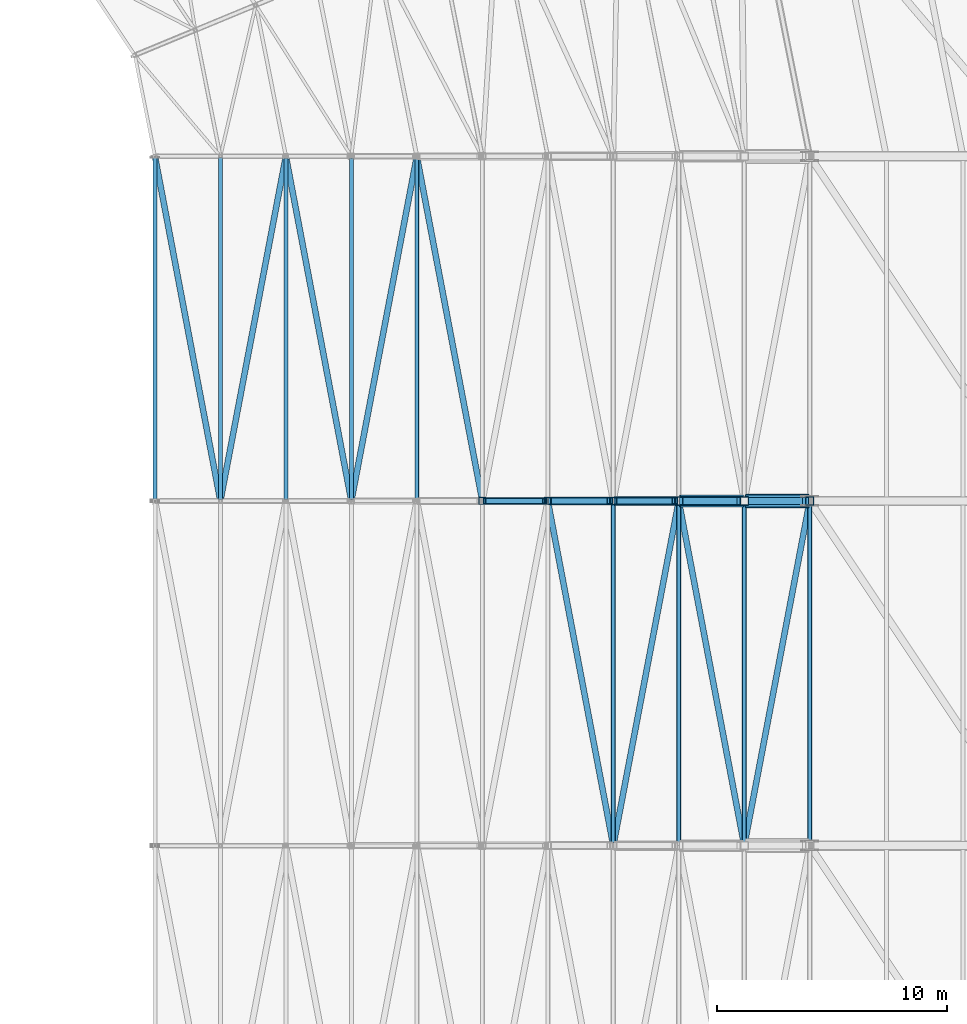
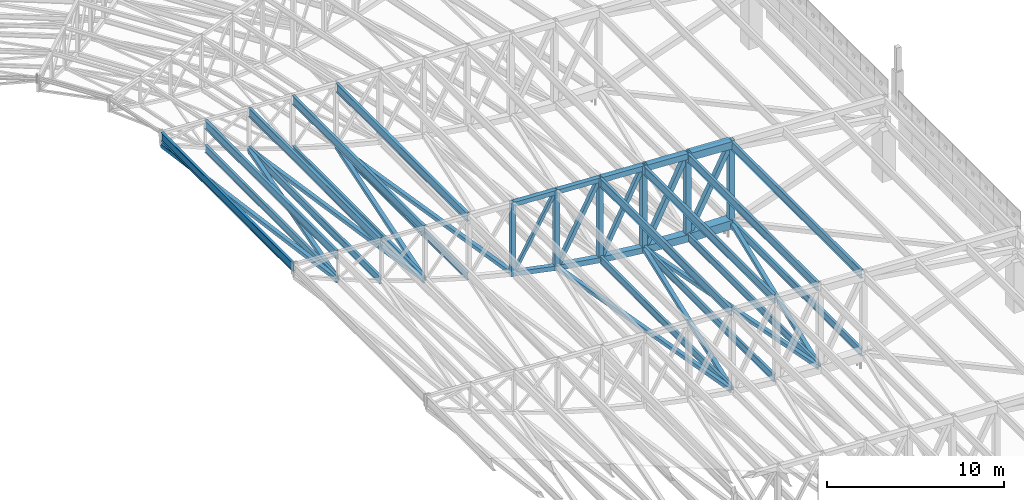
# One storey, part 95 of 278: 31 members, 16 beams.
"""IFC4 building model written with IfcOpenShell, lengths in metres."""

from ifc_helpers import new_model, si_unit, direction, frame, origin, origin_2d, place, context, subcontext, project, spatial, hollow_rectangle, i_section, extrude, material, material_profile, profile_set, type_object, element, save


model = new_model("IFC4")

# Units and contexts
model_context = context("Model", 3, precision=1e-05, world=origin(), true_north=direction((0.0, 1.0)))
body_context = subcontext(model_context, "Body", "Model", "MODEL_VIEW")
ifc_project = project(units=[si_unit("LENGTHUNIT", "METRE"), si_unit("AREAUNIT", "SQUARE_METRE"), si_unit("VOLUMEUNIT", "CUBIC_METRE"), si_unit("PLANEANGLEUNIT", "RADIAN"), si_unit("MASSUNIT", "GRAM", prefix="KILO")], contexts=[model_context])

# Site, building, storey
site_placement = place(None, origin())
site = spatial("IfcSite", under=ifc_project, at=site_placement, CompositionType="ELEMENT")
building_placement = place(site_placement, origin())
building = spatial("IfcBuilding", under=site, at=building_placement, Name="Ogive Plaza Stadium", CompositionType="ELEMENT")
storey_placement = place(building_placement, frame((0.0, 0.0, 29.0)))
storey = spatial("IfcBuildingStorey", under=building, at=storey_placement, Name="Roof", CompositionType="ELEMENT", Elevation=29.0)

# Members
ifc_material_1 = material(Name="Steel ASTM A500 Grade C", Category="steel")
ifc_material_profile_1 = material_profile(ifc_material_1, hollow_rectangle(XDim=0.25390625, YDim=0.25390625, WallThickness=0.0087890625, at=origin_2d()), Name="HSS10X10X3/8")
ifc_profile_set_1 = profile_set([ifc_material_profile_1], Name="Steel ASTM A500 Grade C")
member_type_1 = type_object("IfcMemberType", Name="Roof plan brace HSS10X10X3/8", PredefinedType="BRACE", material=ifc_profile_set_1)
member_1_placement = place(storey_placement, frame((45.513427734375, 52.4296875, 6.520751953125), z_axis=(0.1860644689, -0.979300227871, -0.079693645318), x_axis=(0.982424925297, 0.186658153196, 0.0)))
element("IfcMember", 1, at=member_1_placement, inside=storey, type_object=member_type_1, Name="ROOF BRACE B01 1", PredefinedType="BRACE", context=body_context, shape_type="SweptSolid", body=[
    extrude(hollow_rectangle(XDim=0.25390625, YDim=0.25390625, WallThickness=0.0087890625, at=origin_2d()), origin(), (0.0, 0.0, 1.0), 15.173583984375),
])
member_2_placement = place(storey_placement, frame((48.36328125, 37.5703125, 5.30078125), z_axis=(0.18619699352, 0.979917118172, -0.071366106221), x_axis=(-0.982422109195, 0.186672974385, 0.0)))
element("IfcMember", 2, at=member_2_placement, inside=storey, type_object=member_type_1, Name="ROOF BRACE B01 2", PredefinedType="BRACE", context=body_context, shape_type="SweptSolid", body=[
    extrude(hollow_rectangle(XDim=0.25390625, YDim=0.25390625, WallThickness=0.0087890625, at=origin_2d()), origin(), (0.0, 0.0, 1.0), 15.1376953125),
])
member_3_placement = place(storey_placement, frame((51.21826171875, 52.404052734375, 4.20751953125), z_axis=(0.186305134019, -0.980575459807, -0.061336487198), x_axis=(0.982425223956, 0.186656581279, 0.0)))
element("IfcMember", 3, at=member_3_placement, inside=storey, type_object=member_type_1, Name="ROOF BRACE B01 3", PredefinedType="BRACE", context=body_context, shape_type="SweptSolid", body=[
    extrude(hollow_rectangle(XDim=0.25390625, YDim=0.25390625, WallThickness=0.0087890625, at=origin_2d()), origin(), (0.0, 0.0, 1.0), 15.1015625),
])
member_4_placement = place(storey_placement, frame((54.068115234375, 37.595947265625, 3.27001953125), z_axis=(0.186406461707, 0.981044003163, -0.052965034622), x_axis=(-0.982422964001, 0.186668475654, 0.0)))
element("IfcMember", 4, at=member_4_placement, inside=storey, type_object=member_type_1, Name="ROOF BRACE B01 4", PredefinedType="BRACE", context=body_context, shape_type="SweptSolid", body=[
    extrude(hollow_rectangle(XDim=0.25390625, YDim=0.25390625, WallThickness=0.0087890625, at=origin_2d()), origin(), (0.0, 0.0, 1.0), 15.068359375),
])
member_5_placement = place(storey_placement, frame((56.923095703125, 52.378662109375, 2.459716796875), z_axis=(0.186461324063, -0.981373677857, -0.046237204039), x_axis=(0.982424391989, 0.186660960097, 0.0)))
element("IfcMember", 5, at=member_5_placement, inside=storey, type_object=member_type_1, Name="ROOF BRACE B01 5", PredefinedType="BRACE", context=body_context, shape_type="SweptSolid", body=[
    extrude(hollow_rectangle(XDim=0.25390625, YDim=0.25390625, WallThickness=0.0087890625, at=origin_2d()), origin(), (0.0, 0.0, 1.0), 15.011474609375),
])
member_6_placement = place(storey_placement, frame((62.6279296875, 37.353271484375, 1.20166015625), z_axis=(0.186585145076, -0.982045956233, -0.027779911508), x_axis=(0.982425109661, 0.186657182843, 0.0)))
element("IfcMember", 6, at=member_6_placement, inside=storey, type_object=member_type_1, Name="ROOF BRACE B02 7", PredefinedType="BRACE", context=body_context, shape_type="SweptSolid", body=[
    extrude(hollow_rectangle(XDim=0.25390625, YDim=0.25390625, WallThickness=0.0087890625, at=origin_2d()), origin(), (0.0, 0.0, 1.0), 14.975341796875),
])
member_7_placement = place(storey_placement, frame((65.477783203125, 22.646728515625, 0.77880859375), z_axis=(0.186639895054, 0.982268812283, -0.017706778071), x_axis=(-0.982422833867, 0.186669160538, 0.0)))
element("IfcMember", 7, at=member_7_placement, inside=storey, type_object=member_type_1, Name="ROOF BRACE B02 8", PredefinedType="BRACE", context=body_context, shape_type="SweptSolid", body=[
    extrude(hollow_rectangle(XDim=0.25390625, YDim=0.25390625, WallThickness=0.0087890625, at=origin_2d()), origin(), (0.0, 0.0, 1.0), 14.946044921875),
])
member_8_placement = place(storey_placement, frame((68.332763671875, 37.327880859375, 0.50927734375), z_axis=(0.186657320186, -0.982381109131, -0.009295226886), x_axis=(0.982423551356, 0.186665384421, 0.0)))
element("IfcMember", 8, at=member_8_placement, inside=storey, type_object=member_type_1, Name="ROOF BRACE B02 9", PredefinedType="BRACE", context=body_context, shape_type="SweptSolid", body=[
    extrude(hollow_rectangle(XDim=0.25390625, YDim=0.25390625, WallThickness=0.0087890625, at=origin_2d()), origin(), (0.0, 0.0, 1.0), 14.918701171875),
])
member_9_placement = place(storey_placement, frame((71.1826171875, 22.672119140625, 0.368408203125), z_axis=(0.186663720517, 0.982414794197, -0.004222272479), x_axis=(-0.982423551356, 0.186665384421, 0.0)))
element("IfcMember", 9, at=member_9_placement, inside=storey, type_object=member_type_1, Name="ROOF BRACE B02 10", PredefinedType="BRACE", context=body_context, shape_type="SweptSolid", body=[
    extrude(hollow_rectangle(XDim=0.25390625, YDim=0.25390625, WallThickness=0.0087890625, at=origin_2d()), origin(), (0.0, 0.0, 1.0), 14.918212890625),
])
ifc_material_2 = material(Name="Steel ASTM A992 Grade 50", Category="steel")
ifc_material_profile_2 = material_profile(ifc_material_2, i_section(OverallWidth=0.1650390625, OverallDepth=0.524658203125, WebThickness=0.0087890625, FlangeThickness=0.011474609375, at=origin_2d()), Name="W21X44")
ifc_profile_set_2 = profile_set([ifc_material_profile_2], Name="Steel ASTM A992 Grade 50")
member_type_2 = type_object("IfcMemberType", Name="Roof plan strut W21X44", PredefinedType="STRUT", material=ifc_profile_set_2)
member_10_placement = place(storey_placement, frame((48.35009765625, 52.453857421875, 5.305908203125), z_axis=(0.0, -1.0, 0.0), x_axis=(1.0, 0.0, 0.0)))
element("IfcMember", 10, at=member_10_placement, inside=storey, type_object=member_type_2, Name="ROOF STRUT B01 1", PredefinedType="STRUT", context=body_context, shape_type="SweptSolid", body=[
    extrude(i_section(OverallWidth=0.1650390625, OverallDepth=0.524658203125, WebThickness=0.0087890625, FlangeThickness=0.011474609375, at=origin_2d()), origin(), (0.0, 0.0, 1.0), 14.90771484375),
])
for number, where, z_axis, x_axis, name in (
    (11, (51.199951171875, 52.428466796875, 4.213623046875), (0.0, -1.0, 0.0), (1.0, 0.0, 0.0), "ROOF STRUT B01 2"),
    (12, (54.050048828125, 52.428466796875, 3.275146484375), (0.0, -1.0, 0.0), (1.0, 0.0, 0.0), "ROOF STRUT B01 3"),
):
    element("IfcMember", number, at=place(storey_placement, frame(where, z_axis=z_axis, x_axis=x_axis)), inside=storey, type_object=member_type_2, Name=name, PredefinedType="STRUT", context=body_context, shape_type="SweptSolid", body=[
        extrude(i_section(OverallWidth=0.1650390625, OverallDepth=0.524658203125, WebThickness=0.0087890625, FlangeThickness=0.011474609375, at=origin_2d()), origin(), (0.0, 0.0, 1.0), 14.85693359375),
    ])
member_11_placement = place(storey_placement, frame((56.89990234375, 52.403076171875, 2.46533203125), z_axis=(0.0, -1.0, 0.0), x_axis=(1.0, 0.0, 0.0)))
element("IfcMember", 13, at=member_11_placement, inside=storey, type_object=member_type_2, Name="ROOF STRUT B01 4", PredefinedType="STRUT", context=body_context, shape_type="SweptSolid", body=[
    extrude(i_section(OverallWidth=0.1650390625, OverallDepth=0.524658203125, WebThickness=0.0087890625, FlangeThickness=0.011474609375, at=origin_2d()), origin(), (0.0, 0.0, 1.0), 14.80615234375),
])
member_12_placement = place(storey_placement, frame((65.449951171875, 37.377685546875, 0.781494140625), z_axis=(0.0, -1.0, 0.0), x_axis=(1.0, 0.0, 0.0)))
element("IfcMember", 14, at=member_12_placement, inside=storey, type_object=member_type_2, Name="ROOF STRUT B02 7", PredefinedType="STRUT", context=body_context, shape_type="SweptSolid", body=[
    extrude(i_section(OverallWidth=0.1650390625, OverallDepth=0.524658203125, WebThickness=0.0087890625, FlangeThickness=0.011474609375, at=origin_2d()), origin(), (0.0, 0.0, 1.0), 14.75537109375),
])
for number, where, z_axis, x_axis, name in (
    (15, (68.300048828125, 37.352294921875, 0.510986328125), (0.0, -1.0, 0.0), (1.0, 0.0, 0.0), "ROOF STRUT B02 8"),
    (16, (71.14990234375, 37.352294921875, 0.369140625), (0.0, -1.0, 0.0), (1.0, 0.0, 0.0), "ROOF STRUT B02 9"),
    (17, (74.0, 37.352294921875, 0.3046875), (0.0, -1.0, 0.0), (1.0, 0.0, 0.0), "ROOF STRUT B02 10"),
):
    element("IfcMember", number, at=place(storey_placement, frame(where, z_axis=z_axis, x_axis=x_axis)), inside=storey, type_object=member_type_2, Name=name, PredefinedType="STRUT", context=body_context, shape_type="SweptSolid", body=[
        extrude(i_section(OverallWidth=0.1650390625, OverallDepth=0.524658203125, WebThickness=0.0087890625, FlangeThickness=0.011474609375, at=origin_2d()), origin(), (0.0, 0.0, 1.0), 14.70458984375),
    ])
ifc_material_3 = material(Name="Steel ASTM A992 Grade 50", Category="steel")
ifc_material_profile_3 = material_profile(ifc_material_3, i_section(OverallWidth=0.177978515625, OverallDepth=0.5986328125, WebThickness=0.010009765625, FlangeThickness=0.012939453125, at=origin_2d()), Name="W24X55")
ifc_profile_set_3 = profile_set([ifc_material_profile_3], Name="Steel ASTM A992 Grade 50")
member_type_3 = type_object("IfcMemberType", Name="Roof purlin W24X55", PredefinedType="PURLIN", material=ifc_profile_set_3)
member_13_placement = place(storey_placement, frame((48.35009765625, 52.453857421875, 6.983154296875), z_axis=(0.0, -1.0, 0.0), x_axis=(1.0, 0.0, 0.0)))
element("IfcMember", 18, at=member_13_placement, inside=storey, type_object=member_type_3, Name="ROOF PURLIN B01 1", PredefinedType="PURLIN", context=body_context, shape_type="SweptSolid", body=[
    extrude(i_section(OverallWidth=0.177978515625, OverallDepth=0.5986328125, WebThickness=0.010009765625, FlangeThickness=0.012939453125, at=origin_2d()), origin(), (0.0, 0.0, 1.0), 14.90771484375),
])
for number, where, z_axis, x_axis, name in (
    (19, (51.199951171875, 52.428466796875, 6.840576171875), (0.0, -1.0, 0.0), (1.0, 0.0, 0.0), "ROOF PURLIN B01 2"),
    (20, (54.050048828125, 52.428466796875, 6.6982421875), (0.0, -1.0, 0.0), (1.0, 0.0, 0.0), "ROOF PURLIN B01 3"),
):
    element("IfcMember", number, at=place(storey_placement, frame(where, z_axis=z_axis, x_axis=x_axis)), inside=storey, type_object=member_type_3, Name=name, PredefinedType="PURLIN", context=body_context, shape_type="SweptSolid", body=[
        extrude(i_section(OverallWidth=0.177978515625, OverallDepth=0.5986328125, WebThickness=0.010009765625, FlangeThickness=0.012939453125, at=origin_2d()), origin(), (0.0, 0.0, 1.0), 14.85693359375),
    ])
member_14_placement = place(storey_placement, frame((56.89990234375, 52.403076171875, 6.5556640625), z_axis=(0.0, -1.0, 0.0), x_axis=(1.0, 0.0, 0.0)))
element("IfcMember", 21, at=member_14_placement, inside=storey, type_object=member_type_3, Name="ROOF PURLIN B01 4", PredefinedType="PURLIN", context=body_context, shape_type="SweptSolid", body=[
    extrude(i_section(OverallWidth=0.177978515625, OverallDepth=0.5986328125, WebThickness=0.010009765625, FlangeThickness=0.012939453125, at=origin_2d()), origin(), (0.0, 0.0, 1.0), 14.80615234375),
])
member_15_placement = place(storey_placement, frame((65.449951171875, 37.377685546875, 6.128173828125), z_axis=(0.0, -1.0, 0.0), x_axis=(1.0, 0.0, 0.0)))
element("IfcMember", 22, at=member_15_placement, inside=storey, type_object=member_type_3, Name="ROOF PURLIN B02 7", PredefinedType="PURLIN", context=body_context, shape_type="SweptSolid", body=[
    extrude(i_section(OverallWidth=0.177978515625, OverallDepth=0.5986328125, WebThickness=0.010009765625, FlangeThickness=0.012939453125, at=origin_2d()), origin(), (0.0, 0.0, 1.0), 14.75537109375),
])
for number, where, z_axis, x_axis, name in (
    (23, (68.300048828125, 37.352294921875, 5.985595703125), (0.0, -1.0, 0.0), (1.0, 0.0, 0.0), "ROOF PURLIN B02 8"),
    (24, (71.14990234375, 37.352294921875, 5.84326171875), (0.0, -1.0, 0.0), (1.0, 0.0, 0.0), "ROOF PURLIN B02 9"),
    (25, (74.0, 37.352294921875, 5.70068359375), (0.0, -1.0, 0.0), (1.0, 0.0, 0.0), "ROOF PURLIN B02 10"),
):
    element("IfcMember", number, at=place(storey_placement, frame(where, z_axis=z_axis, x_axis=x_axis)), inside=storey, type_object=member_type_3, Name=name, PredefinedType="PURLIN", context=body_context, shape_type="SweptSolid", body=[
        extrude(i_section(OverallWidth=0.177978515625, OverallDepth=0.5986328125, WebThickness=0.010009765625, FlangeThickness=0.012939453125, at=origin_2d()), origin(), (0.0, 0.0, 1.0), 14.70458984375),
    ])
ifc_material_4 = material(Name="Steel ASTM A992 Grade 50", Category="steel")
ifc_material_profile_4 = material_profile(ifc_material_4, i_section(OverallWidth=0.177978515625, OverallDepth=0.5986328125, WebThickness=0.010009765625, FlangeThickness=0.012939453125, at=origin_2d()), Name="W24X55")
ifc_profile_set_4 = profile_set([ifc_material_profile_4], Name="Steel ASTM A992 Grade 50")
member_type_4 = type_object("IfcMemberType", Name="Roof tip ring beam W24X55", PredefinedType="MEMBER", material=ifc_profile_set_4)
member_16_placement = place(storey_placement, frame((45.5, 52.453857421875, 7.125732421875), z_axis=(0.0, -1.0, 0.0), x_axis=(1.0, 0.0, 0.0)))
element("IfcMember", 26, at=member_16_placement, inside=storey, type_object=member_type_4, Name="RING BEAM B01", PredefinedType="MEMBER", context=body_context, shape_type="SweptSolid", body=[
    extrude(i_section(OverallWidth=0.177978515625, OverallDepth=0.5986328125, WebThickness=0.010009765625, FlangeThickness=0.012939453125, at=origin_2d()), origin(), (0.0, 0.0, 1.0), 14.90771484375),
])

# Beams
ifc_material_5 = material(Name="Steel ASTM A500 Grade C", Category="steel")
ifc_material_profile_5 = material_profile(ifc_material_5, hollow_rectangle(XDim=0.3046875, YDim=0.3046875, WallThickness=0.0146484375, at=origin_2d()), Name="HSS12X12X5/8")
ifc_profile_set_5 = profile_set([ifc_material_profile_5], Name="Steel ASTM A500 Grade C")
beam_type_1 = type_object("IfcBeamType", Name="Roof truss bottom chord HSS12X12X5/8", PredefinedType="BEAM", material=ifc_profile_set_5)
beam_1_placement = place(storey_placement, frame((59.800048828125, 37.5, 1.751708984375), z_axis=(0.980021250437, 0.0, -0.19889280704), x_axis=(0.0, 1.0, 0.0)))
element("IfcBeam", 27, at=beam_1_placement, inside=storey, type_object=beam_type_1, Name="ROOF TRUSS T02 BOTTOM CHORD 6", PredefinedType="BEAM", context=body_context, shape_type="SweptSolid", body=[
    extrude(hollow_rectangle(XDim=0.3046875, YDim=0.3046875, WallThickness=0.0146484375, at=origin_2d()), origin(), (0.0, 0.0, 1.0), 2.80615234375),
])
ifc_material_6 = material(Name="Steel ASTM A500 Grade C", Category="steel")
ifc_material_profile_6 = material_profile(ifc_material_6, hollow_rectangle(XDim=0.355712890625, YDim=0.355712890625, WallThickness=0.0146484375, at=origin_2d()), Name="HSS14X14X5/8")
ifc_profile_set_6 = profile_set([ifc_material_profile_6], Name="Steel ASTM A500 Grade C")
beam_type_2 = type_object("IfcBeamType", Name="Roof truss bottom chord HSS14X14X5/8", PredefinedType="BEAM", material=ifc_profile_set_6)
beam_2_placement = place(storey_placement, frame((62.64990234375, 37.5, 1.2001953125), z_axis=(0.987770074518, 0.0, -0.155917541947), x_axis=(0.0, 1.0, 0.0)))
element("IfcBeam", 28, at=beam_2_placement, inside=storey, type_object=beam_type_2, Name="ROOF TRUSS T02 BOTTOM CHORD 7", PredefinedType="BEAM", context=body_context, shape_type="SweptSolid", body=[
    extrude(hollow_rectangle(XDim=0.355712890625, YDim=0.355712890625, WallThickness=0.0146484375, at=origin_2d()), origin(), (0.0, 0.0, 1.0), 2.783935546875),
])
ifc_material_7 = material(Name="Steel ASTM A500 Grade C", Category="steel")
ifc_material_profile_7 = material_profile(ifc_material_7, hollow_rectangle(XDim=0.406494140625, YDim=0.406494140625, WallThickness=0.0146484375, at=origin_2d()), Name="HSS16X16X5/8")
ifc_profile_set_7 = profile_set([ifc_material_profile_7], Name="Steel ASTM A500 Grade C")
beam_type_3 = type_object("IfcBeamType", Name="Roof truss bottom chord HSS16X16X5/8", PredefinedType="BEAM", material=ifc_profile_set_7)
beam_3_placement = place(storey_placement, frame((65.5, 37.5, 0.777099609375), z_axis=(0.993703844406, 0.0, -0.112038696946), x_axis=(0.0, 1.0, 0.0)))
element("IfcBeam", 29, at=beam_3_placement, inside=storey, type_object=beam_type_3, Name="ROOF TRUSS T02 BOTTOM CHORD 8", PredefinedType="BEAM", context=body_context, shape_type="SweptSolid", body=[
    extrude(hollow_rectangle(XDim=0.406494140625, YDim=0.406494140625, WallThickness=0.0146484375, at=origin_2d()), origin(), (0.0, 0.0, 1.0), 2.767333984375),
])
ifc_material_8 = material(Name="Steel ASTM A500 Grade C", Category="steel")
ifc_material_profile_8 = material_profile(ifc_material_8, hollow_rectangle(XDim=0.508056640625, YDim=0.508056640625, WallThickness=0.0146484375, at=origin_2d()), Name="HSS20X20X5/8")
ifc_profile_set_8 = profile_set([ifc_material_profile_8], Name="Steel ASTM A500 Grade C")
beam_type_4 = type_object("IfcBeamType", Name="Roof truss bottom chord HSS20X20X5/8", PredefinedType="BEAM", material=ifc_profile_set_8)
beam_4_placement = place(storey_placement, frame((68.35009765625, 37.5, 0.50830078125), z_axis=(0.997719620387, 0.0, -0.06749488199), x_axis=(0.0, 1.0, 0.0)))
element("IfcBeam", 30, at=beam_4_placement, inside=storey, type_object=beam_type_4, Name="ROOF TRUSS T02 BOTTOM CHORD 9", PredefinedType="BEAM", context=body_context, shape_type="SweptSolid", body=[
    extrude(hollow_rectangle(XDim=0.508056640625, YDim=0.508056640625, WallThickness=0.0146484375, at=origin_2d()), origin(), (0.0, 0.0, 1.0), 2.75634765625),
])
ifc_material_9 = material(Name="Steel ASTM A500 Grade C", Category="steel")
ifc_material_profile_9 = material_profile(ifc_material_9, hollow_rectangle(XDim=0.609619140625, YDim=0.609619140625, WallThickness=0.0146484375, at=origin_2d()), Name="HSS24X24X5/8")
ifc_profile_set_9 = profile_set([ifc_material_profile_9], Name="Steel ASTM A500 Grade C")
beam_type_5 = type_object("IfcBeamType", Name="Roof truss bottom chord HSS24X24X5/8", PredefinedType="BEAM", material=ifc_profile_set_9)
beam_5_placement = place(storey_placement, frame((71.199951171875, 37.5, 0.367919921875), z_axis=(0.999745852076, 0.0, -0.022543984946), x_axis=(0.0, 1.0, 0.0)))
element("IfcBeam", 31, at=beam_5_placement, inside=storey, type_object=beam_type_5, Name="ROOF TRUSS T02 BOTTOM CHORD 10", PredefinedType="BEAM", context=body_context, shape_type="SweptSolid", body=[
    extrude(hollow_rectangle(XDim=0.609619140625, YDim=0.609619140625, WallThickness=0.0146484375, at=origin_2d()), origin(), (0.0, 0.0, 1.0), 2.750732421875),
])

# Members
ifc_material_10 = material(Name="Steel ASTM A500 Grade C", Category="steel")
ifc_material_profile_10 = material_profile(ifc_material_10, hollow_rectangle(XDim=0.25390625, YDim=0.25390625, WallThickness=0.0087890625, at=origin_2d()), Name="HSS10X10X3/8")
ifc_profile_set_10 = profile_set([ifc_material_profile_10], Name="Steel ASTM A500 Grade C")
member_type_5 = type_object("IfcMemberType", Name="Roof truss diagonal HSS10X10X3/8", PredefinedType="BRACE", material=ifc_profile_set_10)
member_17_placement = place(storey_placement, frame((62.75244140625, 37.5, 1.383544921875), z_axis=(0.473127942579, 0.0, 0.880993728667), x_axis=(0.0, 1.0, 0.0)))
element("IfcMember", 32, at=member_17_placement, inside=storey, type_object=member_type_5, Name="ROOF TRUSS T02 DIAGONAL 7", PredefinedType="BRACE", context=body_context, shape_type="SweptSolid", body=[
    extrude(hollow_rectangle(XDim=0.25390625, YDim=0.25390625, WallThickness=0.0087890625, at=origin_2d()), origin(), (0.0, 0.0, 1.0), 5.37939453125),
])
member_18_placement = place(storey_placement, frame((65.602294921875, 37.5, 0.984619140625), z_axis=(0.454062843231, 0.0, 0.890969659639), x_axis=(0.0, 1.0, 0.0)))
element("IfcMember", 33, at=member_18_placement, inside=storey, type_object=member_type_5, Name="ROOF TRUSS T02 DIAGONAL 8", PredefinedType="BRACE", context=body_context, shape_type="SweptSolid", body=[
    extrude(hollow_rectangle(XDim=0.25390625, YDim=0.25390625, WallThickness=0.0087890625, at=origin_2d()), origin(), (0.0, 0.0, 1.0), 5.550048828125),
])
ifc_material_11 = material(Name="Steel ASTM A500 Grade C", Category="steel")
ifc_material_profile_11 = material_profile(ifc_material_11, hollow_rectangle(XDim=0.3046875, YDim=0.3046875, WallThickness=0.0087890625, at=origin_2d()), Name="HSS12X12X3/8")
ifc_profile_set_11 = profile_set([ifc_material_profile_11], Name="Steel ASTM A500 Grade C")
member_type_6 = type_object("IfcMemberType", Name="Roof truss diagonal HSS12X12X3/8", PredefinedType="BRACE", material=ifc_profile_set_11)
member_19_placement = place(storey_placement, frame((68.477783203125, 37.5, 0.764892578125), z_axis=(0.448477330766, 0.0, 0.893794206621), x_axis=(0.0, 1.0, 0.0)))
element("IfcMember", 34, at=member_19_placement, inside=storey, type_object=member_type_6, Name="ROOF TRUSS T02 DIAGONAL 9", PredefinedType="BRACE", context=body_context, shape_type="SweptSolid", body=[
    extrude(hollow_rectangle(XDim=0.3046875, YDim=0.3046875, WallThickness=0.0087890625, at=origin_2d()), origin(), (0.0, 0.0, 1.0), 5.56201171875),
])
member_20_placement = place(storey_placement, frame((71.327880859375, 37.5, 0.673828125), z_axis=(0.459750963822, 0.0, 0.888047887934), x_axis=(0.0, 1.0, 0.0)))
element("IfcMember", 35, at=member_20_placement, inside=storey, type_object=member_type_6, Name="ROOF TRUSS T02 DIAGONAL 10", PredefinedType="BRACE", context=body_context, shape_type="SweptSolid", body=[
    extrude(hollow_rectangle(XDim=0.3046875, YDim=0.3046875, WallThickness=0.0087890625, at=origin_2d()), origin(), (0.0, 0.0, 1.0), 5.425537109375),
])
ifc_material_12 = material(Name="Steel ASTM A500 Grade C", Category="steel")
ifc_material_profile_12 = material_profile(ifc_material_12, hollow_rectangle(XDim=0.203125, YDim=0.203125, WallThickness=0.0087890625, at=origin_2d()), Name="HSS8X8X3/8")
ifc_profile_set_12 = profile_set([ifc_material_profile_12], Name="Steel ASTM A500 Grade C")
member_type_7 = type_object("IfcMemberType", Name="Roof truss diagonal HSS8X8X3/8", PredefinedType="BRACE", material=ifc_profile_set_12)
member_21_placement = place(storey_placement, frame((59.90234375, 37.5, 1.9111328125), z_axis=(0.504659398762, 0.0, 0.863318534054), x_axis=(0.0, 1.0, 0.0)))
element("IfcMember", 36, at=member_21_placement, inside=storey, type_object=member_type_7, Name="ROOF TRUSS T02 DIAGONAL 6", PredefinedType="BRACE", context=body_context, shape_type="SweptSolid", body=[
    extrude(hollow_rectangle(XDim=0.203125, YDim=0.203125, WallThickness=0.0087890625, at=origin_2d()), origin(), (0.0, 0.0, 1.0), 5.043212890625),
])

# Beams
ifc_material_13 = material(Name="Steel ASTM A500 Grade C", Category="steel")
ifc_material_profile_13 = material_profile(ifc_material_13, hollow_rectangle(XDim=0.3046875, YDim=0.3046875, WallThickness=0.01171875, at=origin_2d()), Name="HSS12X12X1/2")
ifc_profile_set_13 = profile_set([ifc_material_profile_13], Name="Steel ASTM A500 Grade C")
beam_type_6 = type_object("IfcBeamType", Name="Roof truss post HSS12X12X1/2", PredefinedType="BEAM", material=ifc_profile_set_13)
beam_6_placement = place(storey_placement, frame((59.75, 37.5, 1.606201171875), z_axis=(0.0, 0.0, 1.0), x_axis=(0.0, 1.0, 0.0)))
element("IfcBeam", 37, at=beam_6_placement, inside=storey, type_object=beam_type_6, Name="ROOF TRUSS T02 POST 6", PredefinedType="BEAM", context=body_context, shape_type="SweptSolid", body=[
    extrude(hollow_rectangle(XDim=0.3046875, YDim=0.3046875, WallThickness=0.01171875, at=origin_2d()), origin(), (0.0, 0.0, 1.0), 5.106201171875),
])
ifc_material_14 = material(Name="Steel ASTM A500 Grade C", Category="steel")
ifc_material_profile_14 = material_profile(ifc_material_14, hollow_rectangle(XDim=0.3046875, YDim=0.3046875, WallThickness=0.0146484375, at=origin_2d()), Name="HSS12X12X5/8")
ifc_profile_set_14 = profile_set([ifc_material_profile_14], Name="Steel ASTM A500 Grade C")
beam_type_7 = type_object("IfcBeamType", Name="Roof truss post HSS12X12X5/8", PredefinedType="BEAM", material=ifc_profile_set_14)
beam_7_placement = place(storey_placement, frame((62.60009765625, 37.5, 1.028076171875), z_axis=(0.0, 0.0, 1.0), x_axis=(0.0, 1.0, 0.0)))
element("IfcBeam", 38, at=beam_7_placement, inside=storey, type_object=beam_type_7, Name="ROOF TRUSS T02 POST 7", PredefinedType="BEAM", context=body_context, shape_type="SweptSolid", body=[
    extrude(hollow_rectangle(XDim=0.3046875, YDim=0.3046875, WallThickness=0.0146484375, at=origin_2d()), origin(), (0.0, 0.0, 1.0), 5.5419921875),
])
beam_8_placement = place(storey_placement, frame((65.449951171875, 37.5, 0.578369140625), z_axis=(0.0, 0.0, 1.0), x_axis=(0.0, 1.0, 0.0)))
element("IfcBeam", 39, at=beam_8_placement, inside=storey, type_object=beam_type_7, Name="ROOF TRUSS T02 POST 8", PredefinedType="BEAM", context=body_context, shape_type="SweptSolid", body=[
    extrude(hollow_rectangle(XDim=0.3046875, YDim=0.3046875, WallThickness=0.0146484375, at=origin_2d()), origin(), (0.0, 0.0, 1.0), 5.84912109375),
])
ifc_material_15 = material(Name="Steel ASTM A500 Grade C", Category="steel")
ifc_material_profile_15 = material_profile(ifc_material_15, hollow_rectangle(XDim=0.355712890625, YDim=0.355712890625, WallThickness=0.0146484375, at=origin_2d()), Name="HSS14X14X5/8")
ifc_profile_set_15 = profile_set([ifc_material_profile_15], Name="Steel ASTM A500 Grade C")
beam_type_8 = type_object("IfcBeamType", Name="Roof truss post HSS14X14X5/8", PredefinedType="BEAM", material=ifc_profile_set_15)
beam_9_placement = place(storey_placement, frame((68.300048828125, 37.5, 0.257080078125), z_axis=(0.0, 0.0, 1.0), x_axis=(0.0, 1.0, 0.0)))
element("IfcBeam", 40, at=beam_9_placement, inside=storey, type_object=beam_type_8, Name="ROOF TRUSS T02 POST 9", PredefinedType="BEAM", context=body_context, shape_type="SweptSolid", body=[
    extrude(hollow_rectangle(XDim=0.355712890625, YDim=0.355712890625, WallThickness=0.0146484375, at=origin_2d()), origin(), (0.0, 0.0, 1.0), 6.02783203125),
])
beam_10_placement = place(storey_placement, frame((71.14990234375, 37.5, 0.064208984375), z_axis=(0.0, 0.0, 1.0), x_axis=(0.0, 1.0, 0.0)))
element("IfcBeam", 41, at=beam_10_placement, inside=storey, type_object=beam_type_8, Name="ROOF TRUSS T02 POST 10", PredefinedType="BEAM", context=body_context, shape_type="SweptSolid", body=[
    extrude(hollow_rectangle(XDim=0.355712890625, YDim=0.355712890625, WallThickness=0.0146484375, at=origin_2d()), origin(), (0.0, 0.0, 1.0), 6.078369140625),
])
beam_11_placement = place(storey_placement, frame((74.0, 37.5, -0.06005859375), z_axis=(0.0, 0.0, 1.0), x_axis=(0.0, 1.0, 0.0)))
element("IfcBeam", 42, at=beam_11_placement, inside=storey, type_object=beam_type_8, Name="ROOF TRUSS T02 POST 11", PredefinedType="BEAM", context=body_context, shape_type="SweptSolid", body=[
    extrude(hollow_rectangle(XDim=0.355712890625, YDim=0.355712890625, WallThickness=0.0146484375, at=origin_2d()), origin(), (0.0, 0.0, 1.0), 6.06005859375),
])
ifc_material_16 = material(Name="Steel ASTM A500 Grade C", Category="steel")
ifc_material_profile_16 = material_profile(ifc_material_16, hollow_rectangle(XDim=0.3046875, YDim=0.3046875, WallThickness=0.01171875, at=origin_2d()), Name="HSS12X12X1/2")
ifc_profile_set_16 = profile_set([ifc_material_profile_16], Name="Steel ASTM A500 Grade C")
beam_type_9 = type_object("IfcBeamType", Name="Roof truss top chord HSS12X12X1/2", PredefinedType="BEAM", material=ifc_profile_set_16)
beam_12_placement = place(storey_placement, frame((62.64990234375, 37.5, 6.414794921875), z_axis=(0.998753223187, 0.0, -0.049919927615), x_axis=(0.0, 1.0, 0.0)))
element("IfcBeam", 43, at=beam_12_placement, inside=storey, type_object=beam_type_9, Name="ROOF TRUSS T02 TOP CHORD 7", PredefinedType="BEAM", context=body_context, shape_type="SweptSolid", body=[
    extrude(hollow_rectangle(XDim=0.3046875, YDim=0.3046875, WallThickness=0.01171875, at=origin_2d()), origin(), (0.0, 0.0, 1.0), 2.75341796875),
])
ifc_material_17 = material(Name="Steel ASTM A500 Grade C", Category="steel")
ifc_material_profile_17 = material_profile(ifc_material_17, hollow_rectangle(XDim=0.3046875, YDim=0.3046875, WallThickness=0.0087890625, at=origin_2d()), Name="HSS12X12X3/8")
ifc_profile_set_17 = profile_set([ifc_material_profile_17], Name="Steel ASTM A500 Grade C")
beam_type_10 = type_object("IfcBeamType", Name="Roof truss top chord HSS12X12X3/8", PredefinedType="BEAM", material=ifc_profile_set_17)
beam_13_placement = place(storey_placement, frame((59.800048828125, 37.5, 6.557373046875), z_axis=(0.998753223187, 0.0, -0.049919927615), x_axis=(0.0, 1.0, 0.0)))
element("IfcBeam", 44, at=beam_13_placement, inside=storey, type_object=beam_type_10, Name="ROOF TRUSS T02 TOP CHORD 6", PredefinedType="BEAM", context=body_context, shape_type="SweptSolid", body=[
    extrude(hollow_rectangle(XDim=0.3046875, YDim=0.3046875, WallThickness=0.0087890625, at=origin_2d()), origin(), (0.0, 0.0, 1.0), 2.75341796875),
])
ifc_material_18 = material(Name="Steel ASTM A500 Grade C", Category="steel")
ifc_material_profile_18 = material_profile(ifc_material_18, hollow_rectangle(XDim=0.355712890625, YDim=0.355712890625, WallThickness=0.01171875, at=origin_2d()), Name="HSS14X14X1/2")
ifc_profile_set_18 = profile_set([ifc_material_profile_18], Name="Steel ASTM A500 Grade C")
beam_type_11 = type_object("IfcBeamType", Name="Roof truss top chord HSS14X14X1/2", PredefinedType="BEAM", material=ifc_profile_set_18)
beam_14_placement = place(storey_placement, frame((65.5, 37.5, 6.2470703125), z_axis=(0.998748798523, 0.0, -0.05000837379), x_axis=(0.0, 1.0, 0.0)))
element("IfcBeam", 45, at=beam_14_placement, inside=storey, type_object=beam_type_11, Name="ROOF TRUSS T02 TOP CHORD 8", PredefinedType="BEAM", context=body_context, shape_type="SweptSolid", body=[
    extrude(hollow_rectangle(XDim=0.355712890625, YDim=0.355712890625, WallThickness=0.01171875, at=origin_2d()), origin(), (0.0, 0.0, 1.0), 2.75341796875),
])
ifc_material_19 = material(Name="Steel ASTM A500 Grade C", Category="steel")
ifc_material_profile_19 = material_profile(ifc_material_19, hollow_rectangle(XDim=0.406494140625, YDim=0.406494140625, WallThickness=0.01171875, at=origin_2d()), Name="HSS16X16X1/2")
ifc_profile_set_19 = profile_set([ifc_material_profile_19], Name="Steel ASTM A500 Grade C")
beam_type_12 = type_object("IfcBeamType", Name="Roof truss top chord HSS16X16X1/2", PredefinedType="BEAM", material=ifc_profile_set_19)
beam_15_placement = place(storey_placement, frame((68.35009765625, 37.5, 6.0791015625), z_axis=(0.998753223187, 0.0, -0.049919927615), x_axis=(0.0, 1.0, 0.0)))
element("IfcBeam", 46, at=beam_15_placement, inside=storey, type_object=beam_type_12, Name="ROOF TRUSS T02 TOP CHORD 9", PredefinedType="BEAM", context=body_context, shape_type="SweptSolid", body=[
    extrude(hollow_rectangle(XDim=0.406494140625, YDim=0.406494140625, WallThickness=0.01171875, at=origin_2d()), origin(), (0.0, 0.0, 1.0), 2.75341796875),
])
ifc_material_20 = material(Name="Steel ASTM A500 Grade C", Category="steel")
ifc_material_profile_20 = material_profile(ifc_material_20, hollow_rectangle(XDim=0.508056640625, YDim=0.508056640625, WallThickness=0.0146484375, at=origin_2d()), Name="HSS20X20X5/8")
ifc_profile_set_20 = profile_set([ifc_material_profile_20], Name="Steel ASTM A500 Grade C")
beam_type_13 = type_object("IfcBeamType", Name="Roof truss top chord HSS20X20X5/8", PredefinedType="BEAM", material=ifc_profile_set_20)
beam_16_placement = place(storey_placement, frame((71.199951171875, 37.5, 5.8857421875), z_axis=(0.998753223187, 0.0, -0.049919927615), x_axis=(0.0, 1.0, 0.0)))
element("IfcBeam", 47, at=beam_16_placement, inside=storey, type_object=beam_type_13, Name="ROOF TRUSS T02 TOP CHORD 10", PredefinedType="BEAM", context=body_context, shape_type="SweptSolid", body=[
    extrude(hollow_rectangle(XDim=0.508056640625, YDim=0.508056640625, WallThickness=0.0146484375, at=origin_2d()), origin(), (0.0, 0.0, 1.0), 2.75341796875),
])

save(model, "model.ifc")
